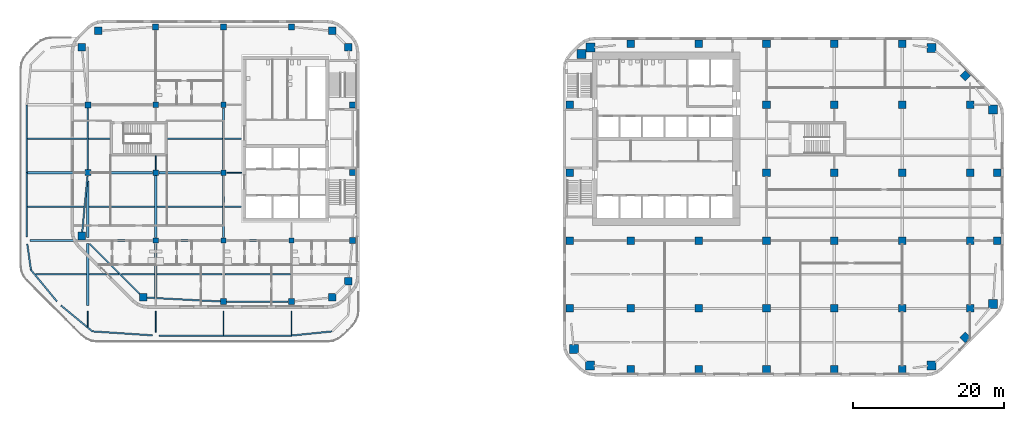
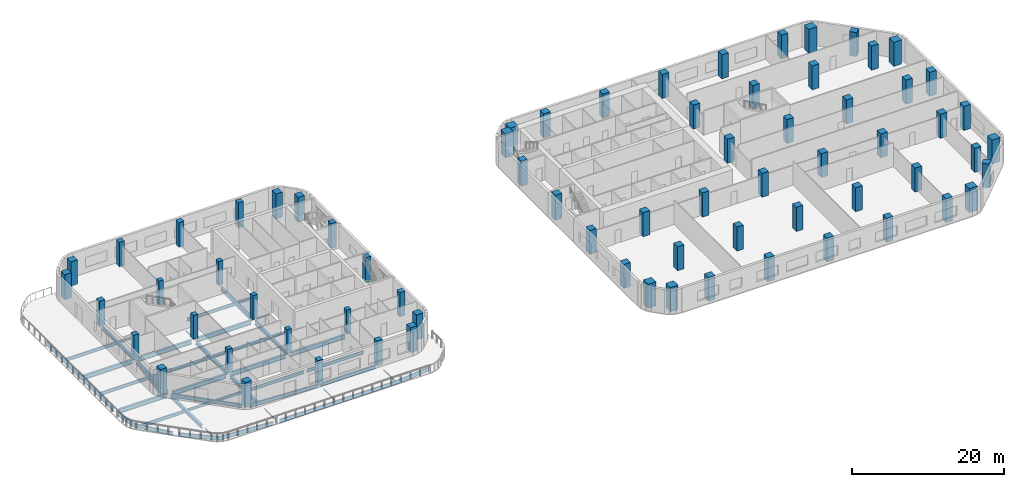
# One storey, part 1 of 15: 71 columns, 46 beams.
"""IFC4 building model written with IfcOpenShell, lengths in metres."""

from ifc_helpers import new_model, si_unit, direction, frame, origin, origin_2d, place, context, subcontext, project, spatial, rectangle, i_section, extrude, material, material_profile, profile_set, type_object, element, save


model = new_model("IFC4")

# Units and contexts
model_context = context("Model", 3, precision=1e-05, world=origin(), true_north=direction((0.0, 1.0)))
body_context = subcontext(model_context, "Body", "Model", "MODEL_VIEW")
ifc_project = project(units=[si_unit("LENGTHUNIT", "METRE"), si_unit("AREAUNIT", "SQUARE_METRE"), si_unit("VOLUMEUNIT", "CUBIC_METRE"), si_unit("PLANEANGLEUNIT", "RADIAN"), si_unit("MASSUNIT", "GRAM", prefix="KILO")], contexts=[model_context])

# Site, building, storey
site_placement = place(None, origin())
site = spatial("IfcSite", under=ifc_project, at=site_placement, CompositionType="ELEMENT")
building_placement = place(site_placement, origin())
building = spatial("IfcBuilding", under=site, at=building_placement, Name="Cinnabar Reach Civic Tower", CompositionType="ELEMENT")
storey_placement = place(building_placement, frame((0.0, 0.0, 51.0)))
storey = spatial("IfcBuildingStorey", under=building, at=storey_placement, Name="L11", CompositionType="ELEMENT", Elevation=51.0)

# Columns
ifc_material_1 = material(Name="Concrete C70", Category="concrete")
ifc_material_profile_1 = material_profile(ifc_material_1, rectangle(XDim=1.0, YDim=1.0, at=origin_2d()), Name="RC1000")
ifc_profile_set_1 = profile_set([ifc_material_profile_1], Name="Concrete C70")
column_type_1 = type_object("IfcColumnType", Name="RC1000 column R 180", PredefinedType="COLUMN", material=ifc_profile_set_1)
for number, where, z_axis, x_axis, name in (
    (1, (-55.6481, 10.4531, -0.15), (0.0, 0.0, 1.0), (1.0, 0.0, 0.0), "Column T2-Z2-CC0"),
    (2, (-30.6019, 10.4531, -0.15), (0.0, 0.0, 1.0), (1.0, 0.0, 0.0), "Column T2-Z2-CC1"),
    (3, (-28.4531, 12.6019, -0.15), (0.0, 0.0, 1.0), (1.0, 0.0, 0.0), "Column T2-Z2-CC2"),
    (4, (-28.4531, 43.6481, -0.15), (0.0, 0.0, 1.0), (1.0, 0.0, 0.0), "Column T2-Z2-CC3"),
    (5, (-30.6019, 45.7969, -0.15), (0.0, 0.0, 1.0), (1.0, 0.0, 0.0), "Column T2-Z2-CC4"),
    (6, (-61.6481, 45.7969, -0.15), (0.0, 0.0, 1.0), (1.0, 0.0, 0.0), "Column T2-Z2-CC5"),
    (7, (-63.7969, 43.6481, -0.15), (0.0, 0.0, 1.0), (1.0, 0.0, 0.0), "Column T2-Z2-CC6"),
    (8, (-63.7969, 18.6019, -0.15), (0.0, 0.0, 1.0), (1.0, 0.0, 0.0), "Column T2-Z2-CC7"),
):
    element("IfcColumn", number, at=place(storey_placement, frame(where, z_axis=z_axis, x_axis=x_axis)), inside=storey, type_object=column_type_1, Name=name, PredefinedType="COLUMN", context=body_context, shape_type="SweptSolid", body=[
        extrude(rectangle(XDim=1.0, YDim=1.0, at=origin_2d()), origin(), (0.0, 0.0, 1.0), 4.0),
    ])
ifc_material_profile_2 = material_profile(ifc_material_1, rectangle(XDim=1.0, YDim=1.0, at=origin_2d()), Name="RC1000")
ifc_profile_set_2 = profile_set([ifc_material_profile_2], Name="Concrete C70")
column_type_2 = type_object("IfcColumnType", Name="RC1000 column R 240", PredefinedType="COLUMN", material=ifc_profile_set_2)
for number, where, z_axis, x_axis, name in (
    (9, (9.0, 0.9, 0.0), (0.0, 0.0, 1.0), (1.0, 0.0, 0.0), "Column T1-Z1-F0-1"),
    (10, (18.0, 0.9, 0.0), (0.0, 0.0, 1.0), (1.0, 0.0, 0.0), "Column T1-Z1-F0-2"),
    (11, (27.0, 0.9, 0.0), (0.0, 0.0, 1.0), (1.0, 0.0, 0.0), "Column T1-Z1-F0-3"),
    (12, (36.0, 0.9, 0.0), (0.0, 0.0, 1.0), (1.0, 0.0, 0.0), "Column T1-Z1-F0-4"),
    (13, (45.0, 0.9, 0.0), (0.0, 0.0, 1.0), (1.0, 0.0, 0.0), "Column T1-Z1-F0-5"),
    (14, (53.3636, 5.1364, 0.0), (0.0, 0.0, 1.0), (0.707106781187, 0.707106781187, 0.0), "Column T1-Z1-F1-M"),
    (15, (57.6, 18.0, 0.0), (0.0, 0.0, 1.0), (1.0, 0.0, 0.0), "Column T1-Z1-F2-2"),
    (16, (57.6, 27.0, 0.0), (0.0, 0.0, 1.0), (1.0, 0.0, 0.0), "Column T1-Z1-F2-3"),
    (17, (53.3636, 39.8636, 0.0), (0.0, 0.0, 1.0), (0.707106781187, 0.707106781187, 0.0), "Column T1-Z1-F3-M"),
    (18, (9.0, 44.1, 0.0), (0.0, 0.0, 1.0), (1.0, 0.0, 0.0), "Column T1-Z1-F4-1"),
    (19, (18.0, 44.1, 0.0), (0.0, 0.0, 1.0), (1.0, 0.0, 0.0), "Column T1-Z1-F4-2"),
    (20, (27.0, 44.1, 0.0), (0.0, 0.0, 1.0), (1.0, 0.0, 0.0), "Column T1-Z1-F4-3"),
    (21, (36.0, 44.1, 0.0), (0.0, 0.0, 1.0), (1.0, 0.0, 0.0), "Column T1-Z1-F4-4"),
    (22, (45.0, 44.1, 0.0), (0.0, 0.0, 1.0), (1.0, 0.0, 0.0), "Column T1-Z1-F4-5"),
    (23, (0.9, 9.0, 0.0), (0.0, 0.0, 1.0), (1.0, 0.0, 0.0), "Column T1-Z1-F6-1"),
    (24, (0.9, 18.0, 0.0), (0.0, 0.0, 1.0), (1.0, 0.0, 0.0), "Column T1-Z1-F6-2"),
):
    element("IfcColumn", number, at=place(storey_placement, frame(where, z_axis=z_axis, x_axis=x_axis)), inside=storey, type_object=column_type_2, Name=name, PredefinedType="COLUMN", context=body_context, shape_type="SweptSolid", body=[
        extrude(rectangle(XDim=1.0, YDim=1.0, at=origin_2d()), origin(), (0.0, 0.0, 1.0), 3.85),
    ])
for number, where, z_axis, x_axis, name in (
    (25, (0.9, 27.0, 0.0), (0.0, 0.0, 1.0), (1.0, 0.0, 0.0), "Column T1-Z1-F6-3"),
    (26, (0.9, 36.0, 0.0), (0.0, 0.0, 1.0), (1.0, 0.0, 0.0), "Column T1-Z1-F6-4"),
):
    element("IfcColumn", number, at=place(storey_placement, frame(where, z_axis=z_axis, x_axis=x_axis)), inside=storey, type_object=column_type_2, Name=name, PredefinedType="COLUMN", context=body_context, shape_type="SweptSolid", body=[
        extrude(rectangle(XDim=1.0, YDim=1.0, at=origin_2d()), origin(), (0.0, 0.0, 1.0), 4.0),
    ])
for number, where, z_axis, x_axis, name in (
    (27, (9.0, 9.0, 0.0), (0.0, 0.0, 1.0), (1.0, 0.0, 0.0), "Column T1-Z1-I9_9"),
    (28, (9.0, 18.0, 0.0), (0.0, 0.0, 1.0), (1.0, 0.0, 0.0), "Column T1-Z1-I9_18"),
    (29, (18.0, 9.0, 0.0), (0.0, 0.0, 1.0), (1.0, 0.0, 0.0), "Column T1-Z1-I18_9"),
    (30, (18.0, 18.0, 0.0), (0.0, 0.0, 1.0), (1.0, 0.0, 0.0), "Column T1-Z1-I18_18"),
    (31, (27.0, 9.0, 0.0), (0.0, 0.0, 1.0), (1.0, 0.0, 0.0), "Column T1-Z1-I27_9"),
    (32, (27.0, 18.0, 0.0), (0.0, 0.0, 1.0), (1.0, 0.0, 0.0), "Column T1-Z1-I27_18"),
    (33, (27.0, 27.0, 0.0), (0.0, 0.0, 1.0), (1.0, 0.0, 0.0), "Column T1-Z1-I27_27"),
    (34, (27.0, 36.0, 0.0), (0.0, 0.0, 1.0), (1.0, 0.0, 0.0), "Column T1-Z1-I27_36"),
    (35, (36.0, 9.0, 0.0), (0.0, 0.0, 1.0), (1.0, 0.0, 0.0), "Column T1-Z1-I36_9"),
    (36, (36.0, 18.0, 0.0), (0.0, 0.0, 1.0), (1.0, 0.0, 0.0), "Column T1-Z1-I36_18"),
    (37, (36.0, 27.0, 0.0), (0.0, 0.0, 1.0), (1.0, 0.0, 0.0), "Column T1-Z1-I36_27"),
    (38, (36.0, 36.0, 0.0), (0.0, 0.0, 1.0), (1.0, 0.0, 0.0), "Column T1-Z1-I36_36"),
    (39, (45.0, 9.0, 0.0), (0.0, 0.0, 1.0), (1.0, 0.0, 0.0), "Column T1-Z1-I45_9"),
    (40, (45.0, 18.0, 0.0), (0.0, 0.0, 1.0), (1.0, 0.0, 0.0), "Column T1-Z1-I45_18"),
    (41, (45.0, 27.0, 0.0), (0.0, 0.0, 1.0), (1.0, 0.0, 0.0), "Column T1-Z1-I45_27"),
    (42, (45.0, 36.0, 0.0), (0.0, 0.0, 1.0), (1.0, 0.0, 0.0), "Column T1-Z1-I45_36"),
    (43, (54.0, 9.0, 0.0), (0.0, 0.0, 1.0), (1.0, 0.0, 0.0), "Column T1-Z1-I54_9"),
    (44, (54.0, 18.0, 0.0), (0.0, 0.0, 1.0), (1.0, 0.0, 0.0), "Column T1-Z1-I54_18"),
    (45, (54.0, 27.0, 0.0), (0.0, 0.0, 1.0), (1.0, 0.0, 0.0), "Column T1-Z1-I54_27"),
    (46, (54.0, 36.0, 0.0), (0.0, 0.0, 1.0), (1.0, 0.0, 0.0), "Column T1-Z1-I54_36"),
):
    element("IfcColumn", number, at=place(storey_placement, frame(where, z_axis=z_axis, x_axis=x_axis)), inside=storey, type_object=column_type_2, Name=name, PredefinedType="COLUMN", context=body_context, shape_type="SweptSolid", body=[
        extrude(rectangle(XDim=1.0, YDim=1.0, at=origin_2d()), origin(), (0.0, 0.0, 1.0), 3.85),
    ])
ifc_material_2 = material(Name="Concrete C80", Category="concrete")
ifc_material_profile_3 = material_profile(ifc_material_2, rectangle(XDim=1.2, YDim=1.2, at=origin_2d()), Name="RC1200")
ifc_profile_set_3 = profile_set([ifc_material_profile_3], Name="Concrete C80")
column_type_3 = type_object("IfcColumnType", Name="RC1200 column R 240", PredefinedType="COLUMN", material=ifc_profile_set_3)
for number, where, z_axis, x_axis, name in (
    (47, (3.6019, 1.4531, 0.0), (0.0, 0.0, 1.0), (1.0, 0.0, 0.0), "Column T1-Z1-CC0"),
    (48, (48.8981, 1.4531, 0.0), (0.0, 0.0, 1.0), (1.0, 0.0, 0.0), "Column T1-Z1-CC1"),
    (49, (57.0469, 9.6019, 0.0), (0.0, 0.0, 1.0), (1.0, 0.0, 0.0), "Column T1-Z1-CC2"),
    (50, (57.0469, 35.3981, 0.0), (0.0, 0.0, 1.0), (1.0, 0.0, 0.0), "Column T1-Z1-CC3"),
    (51, (48.8981, 43.5469, 0.0), (0.0, 0.0, 1.0), (1.0, 0.0, 0.0), "Column T1-Z1-CC4"),
    (52, (3.6666, 43.5737, 0.0), (0.0, 0.0, 1.0), (1.0, 0.0, 0.0), "Column T1-Z1-CC5"),
    (53, (2.4631, 42.75, 0.0), (0.0, 0.0, 1.0), (1.0, 0.0, 0.0), "Column T1-Z1-CC6"),
    (54, (1.4531, 3.6019, 0.0), (0.0, 0.0, 1.0), (1.0, 0.0, 0.0), "Column T1-Z1-CC7"),
):
    element("IfcColumn", number, at=place(storey_placement, frame(where, z_axis=z_axis, x_axis=x_axis)), inside=storey, type_object=column_type_3, Name=name, PredefinedType="COLUMN", context=body_context, shape_type="SweptSolid", body=[
        extrude(rectangle(XDim=1.2, YDim=1.2, at=origin_2d()), origin(), (0.0, 0.0, 1.0), 3.85),
    ])
ifc_material_3 = material(Name="Concrete C60", Category="concrete")
ifc_material_profile_4 = material_profile(ifc_material_3, rectangle(XDim=0.7, YDim=0.7, at=origin_2d()), Name="RC700")
ifc_profile_set_4 = profile_set([ifc_material_profile_4], Name="Concrete C60")
column_type_4 = type_object("IfcColumnType", Name="RC700 column R 180", PredefinedType="COLUMN", material=ifc_profile_set_4)
for number, where, z_axis, x_axis, name in (
    (55, (-54.0, 18.0, 0.0), (0.0, 0.0, 1.0), (1.0, 0.0, 0.0), "Column T2-Z2-I-54_18"),
    (56, (-54.0, 27.0, 0.0), (0.0, 0.0, 1.0), (1.0, 0.0, 0.0), "Column T2-Z2-I-54_27"),
    (57, (-54.0, 36.0, 0.0), (0.0, 0.0, 1.0), (1.0, 0.0, 0.0), "Column T2-Z2-I-54_36"),
    (58, (-45.0, 18.0, 0.0), (0.0, 0.0, 1.0), (1.0, 0.0, 0.0), "Column T2-Z2-I-45_18"),
    (59, (-45.0, 27.0, 0.0), (0.0, 0.0, 1.0), (1.0, 0.0, 0.0), "Column T2-Z2-I-45_27"),
    (60, (-45.0, 36.0, 0.0), (0.0, 0.0, 1.0), (1.0, 0.0, 0.0), "Column T2-Z2-I-45_36"),
    (61, (-36.0, 18.0, 0.0), (0.0, 0.0, 1.0), (1.0, 0.0, 0.0), "Column T2-Z2-I-36_18"),
):
    element("IfcColumn", number, at=place(storey_placement, frame(where, z_axis=z_axis, x_axis=x_axis)), inside=storey, type_object=column_type_4, Name=name, PredefinedType="COLUMN", context=body_context, shape_type="SweptSolid", body=[
        extrude(rectangle(XDim=0.7, YDim=0.7, at=origin_2d()), origin(), (0.0, 0.0, 1.0), 3.85),
    ])
ifc_material_profile_5 = material_profile(ifc_material_3, rectangle(XDim=0.8, YDim=0.8, at=origin_2d()), Name="RC800")
ifc_profile_set_5 = profile_set([ifc_material_profile_5], Name="Concrete C60")
column_type_5 = type_object("IfcColumnType", Name="RC800 column R 180", PredefinedType="COLUMN", material=ifc_profile_set_5)
for number, where, z_axis, x_axis, name in (
    (62, (-45.0, 9.9, -0.15), (0.0, 0.0, 1.0), (1.0, 0.0, 0.0), "Column T2-Z2-F0--5"),
    (63, (-36.0, 9.9, -0.15), (0.0, 0.0, 1.0), (1.0, 0.0, 0.0), "Column T2-Z2-F0--4"),
):
    element("IfcColumn", number, at=place(storey_placement, frame(where, z_axis=z_axis, x_axis=x_axis)), inside=storey, type_object=column_type_5, Name=name, PredefinedType="COLUMN", context=body_context, shape_type="SweptSolid", body=[
        extrude(rectangle(XDim=0.8, YDim=0.8, at=origin_2d()), origin(), (0.0, 0.0, 1.0), 4.0),
    ])
column_placement = place(storey_placement, frame((-27.9, 18.0, 0.0), z_axis=(0.0, 0.0, 1.0), x_axis=(1.0, 0.0, 0.0)))
element("IfcColumn", 64, at=column_placement, inside=storey, type_object=column_type_5, Name="Column T2-Z2-F2-2", PredefinedType="COLUMN", context=body_context, shape_type="SweptSolid", body=[
    extrude(rectangle(XDim=0.8, YDim=0.8, at=origin_2d()), origin(), (0.0, 0.0, 1.0), 3.85),
])
for number, where, z_axis, x_axis, name in (
    (65, (-27.9, 27.0, 0.0), (0.0, 0.0, 1.0), (1.0, 0.0, 0.0), "Column T2-Z2-F2-3"),
    (66, (-27.9, 36.0, 0.0), (0.0, 0.0, 1.0), (1.0, 0.0, 0.0), "Column T2-Z2-F2-4"),
    (67, (-54.0, 46.35, -0.15), (0.0, 0.0, 1.0), (1.0, 0.0, 0.0), "Column T2-Z2-F4--6"),
    (68, (-45.0, 46.35, -0.15), (0.0, 0.0, 1.0), (1.0, 0.0, 0.0), "Column T2-Z2-F4--5"),
    (69, (-36.0, 46.35, -0.15), (0.0, 0.0, 1.0), (1.0, 0.0, 0.0), "Column T2-Z2-F4--4"),
    (70, (-63.0, 27.0, -0.15), (0.0, 0.0, 1.0), (1.0, 0.0, 0.0), "Column T2-Z2-F6-3"),
    (71, (-63.0, 36.0, -0.15), (0.0, 0.0, 1.0), (1.0, 0.0, 0.0), "Column T2-Z2-F6-4"),
):
    element("IfcColumn", number, at=place(storey_placement, frame(where, z_axis=z_axis, x_axis=x_axis)), inside=storey, type_object=column_type_5, Name=name, PredefinedType="COLUMN", context=body_context, shape_type="SweptSolid", body=[
        extrude(rectangle(XDim=0.8, YDim=0.8, at=origin_2d()), origin(), (0.0, 0.0, 1.0), 4.0),
    ])

# Beams
ifc_material_4 = material(Name="Steel Q355B", Category="steel")
ifc_material_profile_6 = material_profile(ifc_material_4, i_section(OverallWidth=0.302, OverallDepth=0.594, WebThickness=0.014, FlangeThickness=0.023, FilletRadius=0.016, at=origin_2d()), Name="HM594x302x14x23")
ifc_profile_set_6 = profile_set([ifc_material_profile_6], Name="Steel Q355B")
beam_type_1 = type_object("IfcBeamType", Name="HM594x302x14x23 beam R 120", PredefinedType="BEAM", material=ifc_profile_set_6)
beam_1_placement = place(storey_placement, frame((-63.0, 9.402, -0.447), z_axis=(0.0, 1.0, 0.0), x_axis=(-1.0, 0.0, 0.0)))
element("IfcBeam", 72, at=beam_1_placement, inside=storey, type_object=beam_type_1, Name="Girder T2 L11 2", PredefinedType="BEAM", context=body_context, shape_type="SweptSolid", body=[
    extrude(i_section(OverallWidth=0.302, OverallDepth=0.594, WebThickness=0.014, FlangeThickness=0.023, FilletRadius=0.016, at=origin_2d()), origin(), (0.0, 0.0, 1.0), 8.196),
])
beam_2_placement = place(storey_placement, frame((-63.0, 18.402, -0.447), z_axis=(0.0, 1.0, 0.0), x_axis=(-1.0, 0.0, 0.0)))
element("IfcBeam", 73, at=beam_2_placement, inside=storey, type_object=beam_type_1, Name="Girder T2 L11 3", PredefinedType="BEAM", context=body_context, shape_type="SweptSolid", body=[
    extrude(i_section(OverallWidth=0.302, OverallDepth=0.594, WebThickness=0.014, FlangeThickness=0.023, FilletRadius=0.016, at=origin_2d()), origin(), (0.0, 0.0, 1.0), 7.5182),
])
beam_3_placement = place(storey_placement, frame((-54.0, 10.4696, -0.447), z_axis=(0.0, 1.0, 0.0), x_axis=(-1.0, 0.0, 0.0)))
element("IfcBeam", 74, at=beam_3_placement, inside=storey, type_object=beam_type_1, Name="Girder T2 L11 6", PredefinedType="BEAM", context=body_context, shape_type="SweptSolid", body=[
    extrude(i_section(OverallWidth=0.302, OverallDepth=0.594, WebThickness=0.014, FlangeThickness=0.023, FilletRadius=0.016, at=origin_2d()), origin(), (0.0, 0.0, 1.0), 7.1284),
])
for number, where, z_axis, x_axis, name in (
    (75, (-54.0, 18.402, -0.447), (0.0, 1.0, 0.0), (-1.0, 0.0, 0.0), "Girder T2 L11 7"),
    (76, (-45.0, 18.402, -0.447), (0.0, 1.0, 0.0), (-1.0, 0.0, 0.0), "Girder T2 L11 12"),
    (77, (-45.0, 27.402, -0.447), (0.0, 1.0, 0.0), (-1.0, 0.0, 0.0), "Girder T2 L11 13"),
):
    element("IfcBeam", number, at=place(storey_placement, frame(where, z_axis=z_axis, x_axis=x_axis)), inside=storey, type_object=beam_type_1, Name=name, PredefinedType="BEAM", context=body_context, shape_type="SweptSolid", body=[
        extrude(i_section(OverallWidth=0.302, OverallDepth=0.594, WebThickness=0.014, FlangeThickness=0.023, FilletRadius=0.016, at=origin_2d()), origin(), (0.0, 0.0, 1.0), 8.196),
    ])
ifc_material_profile_7 = material_profile(ifc_material_4, i_section(OverallWidth=0.099, OverallDepth=0.198, WebThickness=0.0045, FlangeThickness=0.007, FilletRadius=0.013, at=origin_2d()), Name="HN200x100x5.5x8")
ifc_profile_set_7 = profile_set([ifc_material_profile_7], Name="Steel Q355B")
beam_type_2 = type_object("IfcBeamType", Name="HN200x100x5.5x8 beam R 120", PredefinedType="BEAM", material=ifc_profile_set_7)
beam_4_placement = place(storey_placement, frame((-63.0, 6.5818, -0.249), z_axis=(0.0, 1.0, 0.0), x_axis=(-1.0, 0.0, 0.0)))
element("IfcBeam", 78, at=beam_4_placement, inside=storey, type_object=beam_type_2, Name="Girder T2 L11 1", PredefinedType="BEAM", context=body_context, shape_type="SweptSolid", body=[
    extrude(i_section(OverallWidth=0.099, OverallDepth=0.198, WebThickness=0.0045, FlangeThickness=0.007, FilletRadius=0.013, at=origin_2d()), origin(), (0.0, 0.0, 1.0), 2.0162),
])
beam_5_placement = place(storey_placement, frame((-54.0, 5.852, -0.249), z_axis=(0.0, 1.0, 0.0), x_axis=(-1.0, 0.0, 0.0)))
element("IfcBeam", 79, at=beam_5_placement, inside=storey, type_object=beam_type_2, Name="Girder T2 L11 5", PredefinedType="BEAM", context=body_context, shape_type="SweptSolid", body=[
    extrude(i_section(OverallWidth=0.099, OverallDepth=0.198, WebThickness=0.0045, FlangeThickness=0.007, FilletRadius=0.013, at=origin_2d()), origin(), (0.0, 0.0, 1.0), 2.746),
])
beam_6_placement = place(storey_placement, frame((-54.0, 27.402, -0.249), z_axis=(0.0, 1.0, 0.0), x_axis=(-1.0, 0.0, 0.0)))
element("IfcBeam", 80, at=beam_6_placement, inside=storey, type_object=beam_type_2, Name="Girder T2 L11 8", PredefinedType="BEAM", context=body_context, shape_type="SweptSolid", body=[
    extrude(i_section(OverallWidth=0.099, OverallDepth=0.198, WebThickness=0.0045, FlangeThickness=0.007, FilletRadius=0.013, at=origin_2d()), origin(), (0.0, 0.0, 1.0), 1.846),
])
beam_7_placement = place(storey_placement, frame((-45.0, 5.502, -0.249), z_axis=(0.0, 1.0, 0.0), x_axis=(-1.0, 0.0, 0.0)))
element("IfcBeam", 81, at=beam_7_placement, inside=storey, type_object=beam_type_2, Name="Girder T2 L11 11", PredefinedType="BEAM", context=body_context, shape_type="SweptSolid", body=[
    extrude(i_section(OverallWidth=0.099, OverallDepth=0.198, WebThickness=0.0045, FlangeThickness=0.007, FilletRadius=0.013, at=origin_2d()), origin(), (0.0, 0.0, 1.0), 3.096),
])
beam_8_placement = place(storey_placement, frame((-36.0, 5.5025, -0.249), z_axis=(0.0, 1.0, 0.0), x_axis=(-1.0, 0.0, 0.0)))
element("IfcBeam", 82, at=beam_8_placement, inside=storey, type_object=beam_type_2, Name="Girder T2 L11 15", PredefinedType="BEAM", context=body_context, shape_type="SweptSolid", body=[
    extrude(i_section(OverallWidth=0.099, OverallDepth=0.198, WebThickness=0.0045, FlangeThickness=0.007, FilletRadius=0.013, at=origin_2d()), origin(), (0.0, 0.0, 1.0), 3.0955),
])
ifc_material_profile_8 = material_profile(ifc_material_4, i_section(OverallWidth=0.124, OverallDepth=0.248, WebThickness=0.005, FlangeThickness=0.008, FilletRadius=0.013, at=origin_2d()), Name="HN250x125x6x9")
ifc_profile_set_8 = profile_set([ifc_material_profile_8], Name="Steel Q355B")
beam_type_3 = type_object("IfcBeamType", Name="HN250x125x6x9 beam R 120", PredefinedType="BEAM", material=ifc_profile_set_8)
beam_9_placement = place(storey_placement, frame((-44.598, 27.0, -0.274), z_axis=(1.0, 0.0, 0.0), x_axis=(0.0, 1.0, 0.0)))
element("IfcBeam", 83, at=beam_9_placement, inside=storey, type_object=beam_type_3, Name="Girder T2 L11 9", PredefinedType="BEAM", context=body_context, shape_type="SweptSolid", body=[
    extrude(i_section(OverallWidth=0.124, OverallDepth=0.248, WebThickness=0.005, FlangeThickness=0.008, FilletRadius=0.013, at=origin_2d()), origin(), (0.0, 0.0, 1.0), 1.996),
])
ifc_material_profile_9 = material_profile(ifc_material_4, i_section(OverallWidth=0.199, OverallDepth=0.396, WebThickness=0.007, FlangeThickness=0.011, FilletRadius=0.013, at=origin_2d()), Name="HN396x199x7x11")
ifc_profile_set_9 = profile_set([ifc_material_profile_9], Name="Steel Q355B")
beam_type_4 = type_object("IfcBeamType", Name="HN396x199x7x11 beam R 120", PredefinedType="BEAM", material=ifc_profile_set_9)
beam_10_placement = place(storey_placement, frame((-62.847, 13.5, -0.348), z_axis=(1.0, 0.0, 0.0), x_axis=(0.0, 1.0, 0.0)))
element("IfcBeam", 84, at=beam_10_placement, inside=storey, type_object=beam_type_4, Name="Secondary beam T2 L11 2", PredefinedType="BEAM", context=body_context, shape_type="SweptSolid", body=[
    extrude(i_section(OverallWidth=0.199, OverallDepth=0.396, WebThickness=0.007, FlangeThickness=0.011, FilletRadius=0.013, at=origin_2d()), origin(), (0.0, 0.0, 1.0), 4.0078),
])
beam_11_placement = place(storey_placement, frame((-58.5508, 13.5, -0.348), z_axis=(1.0, 0.0, 0.0), x_axis=(0.0, 1.0, 0.0)))
element("IfcBeam", 85, at=beam_11_placement, inside=storey, type_object=beam_type_4, Name="Secondary beam T2 L11 3", PredefinedType="BEAM", context=body_context, shape_type="SweptSolid", body=[
    extrude(i_section(OverallWidth=0.199, OverallDepth=0.396, WebThickness=0.007, FlangeThickness=0.011, FilletRadius=0.013, at=origin_2d()), origin(), (0.0, 0.0, 1.0), 4.3978),
])
beam_12_placement = place(storey_placement, frame((-44.847, 22.5, -0.348), z_axis=(1.0, 0.0, 0.0), x_axis=(0.0, 1.0, 0.0)))
element("IfcBeam", 86, at=beam_12_placement, inside=storey, type_object=beam_type_4, Name="Secondary beam T2 L11 10", PredefinedType="BEAM", context=body_context, shape_type="SweptSolid", body=[
    extrude(i_section(OverallWidth=0.199, OverallDepth=0.396, WebThickness=0.007, FlangeThickness=0.011, FilletRadius=0.013, at=origin_2d()), origin(), (0.0, 0.0, 1.0), 2.245),
])
beam_13_placement = place(storey_placement, frame((-62.898, 31.5, -0.348), z_axis=(1.0, 0.0, 0.0), x_axis=(0.0, 1.0, 0.0)))
element("IfcBeam", 87, at=beam_13_placement, inside=storey, type_object=beam_type_4, Name="Secondary beam T2 L11 12", PredefinedType="BEAM", context=body_context, shape_type="SweptSolid", body=[
    extrude(i_section(OverallWidth=0.199, OverallDepth=0.396, WebThickness=0.007, FlangeThickness=0.011, FilletRadius=0.013, at=origin_2d()), origin(), (0.0, 0.0, 1.0), 2.896),
])
beam_14_placement = place(storey_placement, frame((-44.847, 31.5, -0.348), z_axis=(1.0, 0.0, 0.0), x_axis=(0.0, 1.0, 0.0)))
element("IfcBeam", 88, at=beam_14_placement, inside=storey, type_object=beam_type_4, Name="Secondary beam T2 L11 14", PredefinedType="BEAM", context=body_context, shape_type="SweptSolid", body=[
    extrude(i_section(OverallWidth=0.199, OverallDepth=0.396, WebThickness=0.007, FlangeThickness=0.011, FilletRadius=0.013, at=origin_2d()), origin(), (0.0, 0.0, 1.0), 2.245),
])
ifc_material_profile_10 = material_profile(ifc_material_4, i_section(OverallWidth=0.199, OverallDepth=0.496, WebThickness=0.009, FlangeThickness=0.014, FilletRadius=0.016, at=origin_2d()), Name="HN496x199x9x14")
ifc_profile_set_10 = profile_set([ifc_material_profile_10], Name="Steel Q355B")
beam_type_5 = type_object("IfcBeamType", Name="HN496x199x9x14 beam R 120", PredefinedType="BEAM", material=ifc_profile_set_10)
beam_15_placement = place(storey_placement, frame((-69.9182, 13.5, -0.398), z_axis=(1.0, 0.0, 0.0), x_axis=(0.0, 1.0, 0.0)))
element("IfcBeam", 89, at=beam_15_placement, inside=storey, type_object=beam_type_5, Name="Secondary beam T2 L11 1", PredefinedType="BEAM", context=body_context, shape_type="SweptSolid", body=[
    extrude(i_section(OverallWidth=0.199, OverallDepth=0.496, WebThickness=0.009, FlangeThickness=0.014, FilletRadius=0.016, at=origin_2d()), origin(), (0.0, 0.0, 1.0), 6.7652),
])
for number, where, z_axis, x_axis, name in (
    (90, (-53.847, 13.5, -0.398), (1.0, 0.0, 0.0), (0.0, 1.0, 0.0), "Secondary beam T2 L11 4"),
    (91, (-44.798, 13.5, -0.398), (1.0, 0.0, 0.0), (0.0, 1.0, 0.0), "Secondary beam T2 L11 5"),
):
    element("IfcBeam", number, at=place(storey_placement, frame(where, z_axis=z_axis, x_axis=x_axis)), inside=storey, type_object=beam_type_5, Name=name, PredefinedType="BEAM", context=body_context, shape_type="SweptSolid", body=[
        extrude(i_section(OverallWidth=0.199, OverallDepth=0.496, WebThickness=0.009, FlangeThickness=0.014, FilletRadius=0.016, at=origin_2d()), origin(), (0.0, 0.0, 1.0), 8.645),
    ])
beam_16_placement = place(storey_placement, frame((-70.998, 22.5, -0.398), z_axis=(1.0, 0.0, 0.0), x_axis=(0.0, 1.0, 0.0)))
element("IfcBeam", 92, at=beam_16_placement, inside=storey, type_object=beam_type_5, Name="Secondary beam T2 L11 7", PredefinedType="BEAM", context=body_context, shape_type="SweptSolid", body=[
    extrude(i_section(OverallWidth=0.199, OverallDepth=0.496, WebThickness=0.009, FlangeThickness=0.014, FilletRadius=0.016, at=origin_2d()), origin(), (0.0, 0.0, 1.0), 7.4685),
])
for number, where, z_axis, x_axis, name in (
    (93, (-62.847, 22.5, -0.398), (1.0, 0.0, 0.0), (0.0, 1.0, 0.0), "Secondary beam T2 L11 8"),
    (94, (-53.847, 22.5, -0.398), (1.0, 0.0, 0.0), (0.0, 1.0, 0.0), "Secondary beam T2 L11 9"),
):
    element("IfcBeam", number, at=place(storey_placement, frame(where, z_axis=z_axis, x_axis=x_axis)), inside=storey, type_object=beam_type_5, Name=name, PredefinedType="BEAM", context=body_context, shape_type="SweptSolid", body=[
        extrude(i_section(OverallWidth=0.199, OverallDepth=0.496, WebThickness=0.009, FlangeThickness=0.014, FilletRadius=0.016, at=origin_2d()), origin(), (0.0, 0.0, 1.0), 8.694),
    ])
beam_17_placement = place(storey_placement, frame((-70.998, 31.5, -0.398), z_axis=(1.0, 0.0, 0.0), x_axis=(0.0, 1.0, 0.0)))
element("IfcBeam", 95, at=beam_17_placement, inside=storey, type_object=beam_type_5, Name="Secondary beam T2 L11 11", PredefinedType="BEAM", context=body_context, shape_type="SweptSolid", body=[
    extrude(i_section(OverallWidth=0.199, OverallDepth=0.496, WebThickness=0.009, FlangeThickness=0.014, FilletRadius=0.016, at=origin_2d()), origin(), (0.0, 0.0, 1.0), 7.896),
])
beam_18_placement = place(storey_placement, frame((-52.498, 31.5, -0.398), z_axis=(1.0, 0.0, 0.0), x_axis=(0.0, 1.0, 0.0)))
element("IfcBeam", 96, at=beam_18_placement, inside=storey, type_object=beam_type_5, Name="Secondary beam T2 L11 13", PredefinedType="BEAM", context=body_context, shape_type="SweptSolid", body=[
    extrude(i_section(OverallWidth=0.199, OverallDepth=0.496, WebThickness=0.009, FlangeThickness=0.014, FilletRadius=0.016, at=origin_2d()), origin(), (0.0, 0.0, 1.0), 7.345),
])
ifc_material_profile_11 = material_profile(ifc_material_4, i_section(OverallWidth=0.2, OverallDepth=0.6, WebThickness=0.011, FlangeThickness=0.017, FilletRadius=0.016, at=origin_2d()), Name="HN600x200x11x17")
ifc_profile_set_11 = profile_set([ifc_material_profile_11], Name="Steel Q355B")
beam_type_6 = type_object("IfcBeamType", Name="HN600x200x11x17 beam R 120", PredefinedType="BEAM", material=ifc_profile_set_11)
beam_19_placement = place(storey_placement, frame((-55.2575, 10.4328, -0.45), z_axis=(0.998653491681, -0.051876811318, 0.0), x_axis=(0.051876811318, 0.998653491681, 0.0)))
element("IfcBeam", 97, at=beam_19_placement, inside=storey, type_object=beam_type_6, Name="Edge beam T2 L11 1", PredefinedType="BEAM", context=body_context, shape_type="SweptSolid", body=[
    extrude(i_section(OverallWidth=0.2, OverallDepth=0.6, WebThickness=0.011, FlangeThickness=0.017, FilletRadius=0.016, at=origin_2d()), origin(), (0.0, 0.0, 1.0), 10.0507),
])
beam_20_placement = place(storey_placement, frame((-44.78, 9.9, -0.45), z_axis=(1.0, 0.0, 0.0), x_axis=(0.0, 1.0, 0.0)))
element("IfcBeam", 98, at=beam_20_placement, inside=storey, type_object=beam_type_6, Name="Edge beam T2 L11 2", PredefinedType="BEAM", context=body_context, shape_type="SweptSolid", body=[
    extrude(i_section(OverallWidth=0.2, OverallDepth=0.6, WebThickness=0.011, FlangeThickness=0.017, FilletRadius=0.016, at=origin_2d()), origin(), (0.0, 0.0, 1.0), 8.328),
])
beam_21_placement = place(storey_placement, frame((-63.0, 35.548, -0.45), z_axis=(0.0, -1.0, 0.0), x_axis=(1.0, 0.0, 0.0)))
element("IfcBeam", 99, at=beam_21_placement, inside=storey, type_object=beam_type_6, Name="Edge beam T2 L11 15", PredefinedType="BEAM", context=body_context, shape_type="SweptSolid", body=[
    extrude(i_section(OverallWidth=0.2, OverallDepth=0.6, WebThickness=0.011, FlangeThickness=0.017, FilletRadius=0.016, at=origin_2d()), origin(), (0.0, 0.0, 1.0), 8.096),
])
beam_22_placement = place(storey_placement, frame((-63.0429, 26.548, -0.45), z_axis=(-0.094463963064, -0.995528281709, 0.0), x_axis=(0.995528281709, -0.094463963064, 0.0)))
element("IfcBeam", 100, at=beam_22_placement, inside=storey, type_object=beam_type_6, Name="Edge beam T2 L11 16", PredefinedType="BEAM", context=body_context, shape_type="SweptSolid", body=[
    extrude(i_section(OverallWidth=0.2, OverallDepth=0.6, WebThickness=0.011, FlangeThickness=0.017, FilletRadius=0.016, at=origin_2d()), origin(), (0.0, 0.0, 1.0), 7.5479),
])
beam_23_placement = place(storey_placement, frame((-62.793, 17.598, -0.45), z_axis=(0.707106781187, -0.707106781187, 0.0), x_axis=(0.707106781187, 0.707106781187, 0.0)))
element("IfcBeam", 101, at=beam_23_placement, inside=storey, type_object=beam_type_6, Name="Edge beam T2 L11 17", PredefinedType="BEAM", context=body_context, shape_type="SweptSolid", body=[
    extrude(i_section(OverallWidth=0.2, OverallDepth=0.6, WebThickness=0.011, FlangeThickness=0.017, FilletRadius=0.016, at=origin_2d()), origin(), (0.0, 0.0, 1.0), 9.4935),
])
beam_24_placement = place(storey_placement, frame((-62.3981, 5.9531, -0.45), z_axis=(0.997838508374, -0.065713858551, 0.0), x_axis=(0.065713858551, 0.997838508374, 0.0)))
element("IfcBeam", 102, at=beam_24_placement, inside=storey, type_object=beam_type_6, Name="Edge beam T2 L11 18", PredefinedType="BEAM", context=body_context, shape_type="SweptSolid", body=[
    extrude(i_section(OverallWidth=0.2, OverallDepth=0.6, WebThickness=0.011, FlangeThickness=0.017, FilletRadius=0.016, at=origin_2d()), origin(), (0.0, 0.0, 1.0), 7.9633),
])
beam_25_placement = place(storey_placement, frame((-53.548, 5.4, -0.45), z_axis=(1.0, 0.0, 0.0), x_axis=(0.0, 1.0, 0.0)))
element("IfcBeam", 103, at=beam_25_placement, inside=storey, type_object=beam_type_6, Name="Edge beam T2 L11 19", PredefinedType="BEAM", context=body_context, shape_type="SweptSolid", body=[
    extrude(i_section(OverallWidth=0.2, OverallDepth=0.6, WebThickness=0.011, FlangeThickness=0.017, FilletRadius=0.016, at=origin_2d()), origin(), (0.0, 0.0, 1.0), 8.548),
])
beam_26_placement = place(storey_placement, frame((-45.0, 5.4, -0.45), z_axis=(1.0, 0.0, 0.0), x_axis=(0.0, 1.0, 0.0)))
element("IfcBeam", 104, at=beam_26_placement, inside=storey, type_object=beam_type_6, Name="Edge beam T2 L11 20", PredefinedType="BEAM", context=body_context, shape_type="SweptSolid", body=[
    extrude(i_section(OverallWidth=0.2, OverallDepth=0.6, WebThickness=0.011, FlangeThickness=0.017, FilletRadius=0.016, at=origin_2d()), origin(), (0.0, 0.0, 1.0), 9.0),
])
beam_27_placement = place(storey_placement, frame((-36.0, 5.4, -0.45), z_axis=(0.994791744888, 0.101928329245, 0.0), x_axis=(-0.101928329245, 0.994791744888, 0.0)))
element("IfcBeam", 105, at=beam_27_placement, inside=storey, type_object=beam_type_6, Name="Edge beam T2 L11 21", PredefinedType="BEAM", context=body_context, shape_type="SweptSolid", body=[
    extrude(i_section(OverallWidth=0.2, OverallDepth=0.6, WebThickness=0.011, FlangeThickness=0.017, FilletRadius=0.016, at=origin_2d()), origin(), (0.0, 0.0, 1.0), 5.4264),
])
beam_28_placement = place(storey_placement, frame((-71.1, 36.0, -0.45), z_axis=(0.0, -1.0, 0.0), x_axis=(1.0, 0.0, 0.0)))
element("IfcBeam", 106, at=beam_28_placement, inside=storey, type_object=beam_type_6, Name="Edge beam T2 L11 27", PredefinedType="BEAM", context=body_context, shape_type="SweptSolid", body=[
    extrude(i_section(OverallWidth=0.2, OverallDepth=0.6, WebThickness=0.011, FlangeThickness=0.017, FilletRadius=0.016, at=origin_2d()), origin(), (0.0, 0.0, 1.0), 9.0),
])
beam_29_placement = place(storey_placement, frame((-71.1, 27.0, -0.45), z_axis=(0.0, -1.0, 0.0), x_axis=(1.0, 0.0, 0.0)))
element("IfcBeam", 107, at=beam_29_placement, inside=storey, type_object=beam_type_6, Name="Edge beam T2 L11 28", PredefinedType="BEAM", context=body_context, shape_type="SweptSolid", body=[
    extrude(i_section(OverallWidth=0.2, OverallDepth=0.6, WebThickness=0.011, FlangeThickness=0.017, FilletRadius=0.016, at=origin_2d()), origin(), (0.0, 0.0, 1.0), 8.548),
])
beam_30_placement = place(storey_placement, frame((-71.0359, 17.548, -0.45), z_axis=(0.140492149546, -0.990081792538, 0.0), x_axis=(0.990081792538, 0.140492149546, 0.0)))
element("IfcBeam", 108, at=beam_30_placement, inside=storey, type_object=beam_type_6, Name="Edge beam T2 L11 29", PredefinedType="BEAM", context=body_context, shape_type="SweptSolid", body=[
    extrude(i_section(OverallWidth=0.2, OverallDepth=0.6, WebThickness=0.011, FlangeThickness=0.017, FilletRadius=0.016, at=origin_2d()), origin(), (0.0, 0.0, 1.0), 3.4806),
])
for number, where, z_axis, x_axis, name in (
    (109, (-70.5469, 14.1019, -0.45), (0.636305468784, -0.77143719796, 0.0), (0.77143719796, 0.636305468784, 0.0), "Edge beam T2 L11 30"),
    (110, (-66.5598, 9.3858, -0.45), (0.77143719796, -0.636305468784, 0.0), (0.636305468784, 0.77143719796, 0.0), "Edge beam T2 L11 31"),
):
    element("IfcBeam", number, at=place(storey_placement, frame(where, z_axis=z_axis, x_axis=x_axis)), inside=storey, type_object=beam_type_6, Name=name, PredefinedType="BEAM", context=body_context, shape_type="SweptSolid", body=[
        extrude(i_section(OverallWidth=0.2, OverallDepth=0.6, WebThickness=0.011, FlangeThickness=0.017, FilletRadius=0.016, at=origin_2d()), origin(), (0.0, 0.0, 1.0), 5.3947),
    ])
ifc_material_profile_12 = material_profile(ifc_material_4, i_section(OverallWidth=0.3, OverallDepth=0.692, WebThickness=0.013, FlangeThickness=0.02, FilletRadius=0.016, at=origin_2d()), Name="HN692x300x13x20")
ifc_profile_set_12 = profile_set([ifc_material_profile_12], Name="Steel Q355B")
beam_type_7 = type_object("IfcBeamType", Name="HN692x300x13x20 beam R 120", PredefinedType="BEAM", material=ifc_profile_set_12)
beam_31_placement = place(storey_placement, frame((-70.648, 18.0, -0.496), z_axis=(1.0, 0.0, 0.0), x_axis=(0.0, 1.0, 0.0)))
element("IfcBeam", 111, at=beam_31_placement, inside=storey, type_object=beam_type_7, Name="Girder T2 L11 1", PredefinedType="BEAM", context=body_context, shape_type="SweptSolid", body=[
    extrude(i_section(OverallWidth=0.3, OverallDepth=0.692, WebThickness=0.013, FlangeThickness=0.02, FilletRadius=0.016, at=origin_2d()), origin(), (0.0, 0.0, 1.0), 7.246),
])
for number, where, z_axis, x_axis, name in (
    (112, (-62.598, 18.0, -0.496), (1.0, 0.0, 0.0), (0.0, 1.0, 0.0), "Girder T2 L11 2"),
    (113, (-53.598, 18.0, -0.496), (1.0, 0.0, 0.0), (0.0, 1.0, 0.0), "Girder T2 L11 3"),
    (114, (-44.598, 18.0, -0.496), (1.0, 0.0, 0.0), (0.0, 1.0, 0.0), "Girder T2 L11 4"),
):
    element("IfcBeam", number, at=place(storey_placement, frame(where, z_axis=z_axis, x_axis=x_axis)), inside=storey, type_object=beam_type_7, Name=name, PredefinedType="BEAM", context=body_context, shape_type="SweptSolid", body=[
        extrude(i_section(OverallWidth=0.3, OverallDepth=0.692, WebThickness=0.013, FlangeThickness=0.02, FilletRadius=0.016, at=origin_2d()), origin(), (0.0, 0.0, 1.0), 8.196),
    ])
beam_32_placement = place(storey_placement, frame((-70.998, 27.0, -0.496), z_axis=(1.0, 0.0, 0.0), x_axis=(0.0, 1.0, 0.0)))
element("IfcBeam", 115, at=beam_32_placement, inside=storey, type_object=beam_type_7, Name="Girder T2 L11 6", PredefinedType="BEAM", context=body_context, shape_type="SweptSolid", body=[
    extrude(i_section(OverallWidth=0.3, OverallDepth=0.692, WebThickness=0.013, FlangeThickness=0.02, FilletRadius=0.016, at=origin_2d()), origin(), (0.0, 0.0, 1.0), 7.596),
])
for number, where, z_axis, x_axis, name in (
    (116, (-62.598, 27.0, -0.496), (1.0, 0.0, 0.0), (0.0, 1.0, 0.0), "Girder T2 L11 7"),
    (117, (-53.598, 27.0, -0.496), (1.0, 0.0, 0.0), (0.0, 1.0, 0.0), "Girder T2 L11 8"),
):
    element("IfcBeam", number, at=place(storey_placement, frame(where, z_axis=z_axis, x_axis=x_axis)), inside=storey, type_object=beam_type_7, Name=name, PredefinedType="BEAM", context=body_context, shape_type="SweptSolid", body=[
        extrude(i_section(OverallWidth=0.3, OverallDepth=0.692, WebThickness=0.013, FlangeThickness=0.02, FilletRadius=0.016, at=origin_2d()), origin(), (0.0, 0.0, 1.0), 8.196),
    ])

save(model, "model.ifc")
